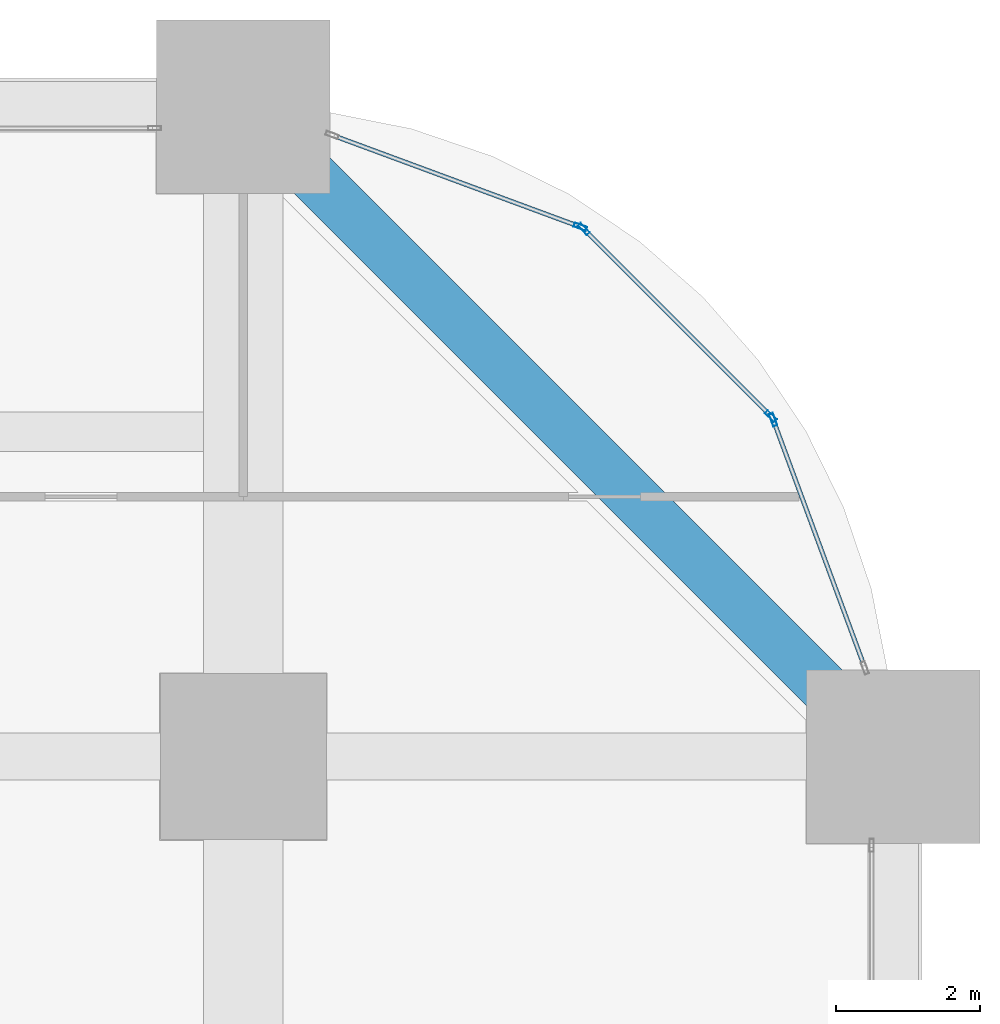
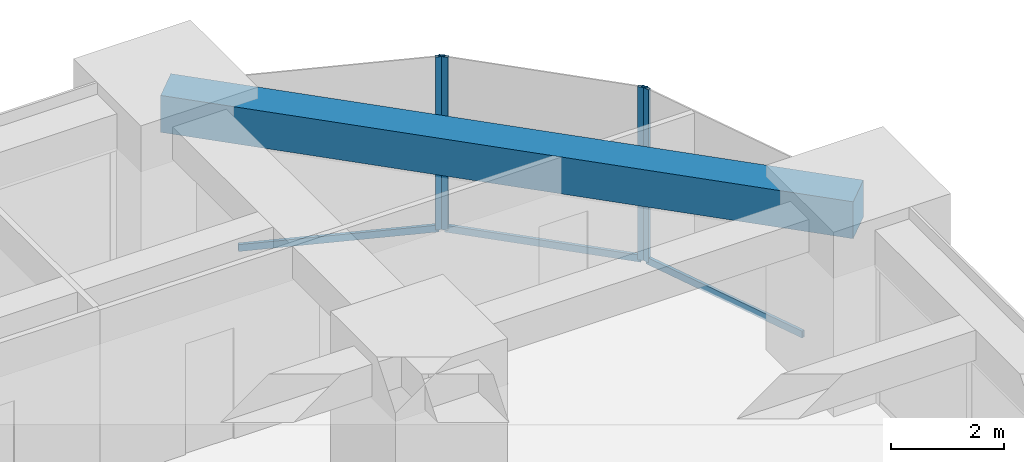
# One storey, part 37 of 44: 7 members, 1 beam, 3 elements without a shape of their own.
"""IFC4 building model written with IfcOpenShell, lengths in metres."""

from ifc_helpers import new_model, si_unit, direction, frame, origin, origin_2d, place, context, subcontext, project, spatial, rectangle, hollow_rectangle, extrude, material, material_profile, profile_set, type_object, element, aggregate, save


model = new_model("IFC4")

# Units and contexts
model_context = context("Model", 3, precision=1e-05, world=origin(), true_north=direction((0.0, 1.0)))
body_context = subcontext(model_context, "Body", "Model", "MODEL_VIEW")
ifc_project = project(units=[si_unit("LENGTHUNIT", "METRE"), si_unit("AREAUNIT", "SQUARE_METRE"), si_unit("VOLUMEUNIT", "CUBIC_METRE"), si_unit("PLANEANGLEUNIT", "RADIAN"), si_unit("MASSUNIT", "GRAM", prefix="KILO")], contexts=[model_context])

# Site, building, storey
site_placement = place(None, origin())
site = spatial("IfcSite", under=ifc_project, at=site_placement, CompositionType="ELEMENT")
building_placement = place(site_placement, origin())
building = spatial("IfcBuilding", under=site, at=building_placement, Name="Zorevar Civic Tower", CompositionType="ELEMENT")
storey_placement = place(building_placement, frame((0.0, 0.0, 43.800048828125)))
storey = spatial("IfcBuildingStorey", under=building, at=storey_placement, Name="L10", CompositionType="ELEMENT", Elevation=43.800048828125)

# Curtain wall, member
ifc_material_1 = material(Name="Dark grey solar-control glass in black aluminium frame", Category="aluminium")
curtain_wall_type = type_object("IfcCurtainWallType", Name="Curtain wall CW2 low zone", PredefinedType="NOTDEFINED", material=ifc_material_1)
curtain_wall_1_placement = place(storey_placement, origin())
curtain_wall_1 = element("IfcCurtainWall", 1, at=curtain_wall_1_placement, inside=storey, type_object=curtain_wall_type, Name="CW2 L10", PredefinedType="NOTDEFINED")
ifc_material_2 = material(Name="Aluminium, black anodised", Category="aluminium")
ifc_material_profile_1 = material_profile(ifc_material_2, hollow_rectangle(XDim=0.06005859375, YDim=0.179931640625, WallThickness=0.00390625, at=origin_2d()), Name="AL 180x60x4")
ifc_profile_set_1 = profile_set([ifc_material_profile_1], Name="Aluminium, black anodised")
member_type_1 = type_object("IfcMemberType", Name="CW2 mullion AL 180x60x4", PredefinedType="MULLION", material=ifc_profile_set_1)
member_1_placement = place(storey_placement, frame((61.336181640625, 49.66455078125, 0.0), z_axis=(0.0, 0.0, 1.0), x_axis=(-0.937974588163, -0.346704012033, 0.0)))
member_1 = element("IfcMember", 2, at=member_1_placement, type_object=member_type_1, Name="CW2 mullion 2", PredefinedType="MULLION", context=body_context, shape_type="SweptSolid", body=[
    extrude(hollow_rectangle(XDim=0.06005859375, YDim=0.179931640625, WallThickness=0.00390625, at=origin_2d()), origin(), (0.0, 0.0, 1.0), 3.75),
])

# Curtain wall, members
curtain_wall_2_placement = place(storey_placement, origin())
curtain_wall_2 = element("IfcCurtainWall", 3, at=curtain_wall_2_placement, inside=storey, type_object=curtain_wall_type, Name="CW2 L10", PredefinedType="NOTDEFINED")
member_2_placement = place(storey_placement, frame((61.3046875, 49.7138671875, 0.0), z_axis=(0.0, 0.0, 1.0), x_axis=(-0.707106781187, -0.707106781187, 0.0)))
member_2 = element("IfcMember", 4, at=member_2_placement, type_object=member_type_1, Name="CW2 mullion 1", PredefinedType="MULLION", context=body_context, shape_type="SweptSolid", body=[
    extrude(hollow_rectangle(XDim=0.06005859375, YDim=0.179931640625, WallThickness=0.00390625, at=origin_2d()), origin(), (0.0, 0.0, 1.0), 3.75),
])
member_3_placement = place(storey_placement, frame((58.7138671875, 52.3046875, 0.0), z_axis=(0.0, 0.0, 1.0), x_axis=(-0.707106781187, -0.707106781187, 0.0)))
member_3 = element("IfcMember", 5, at=member_3_placement, type_object=member_type_1, Name="CW2 mullion 2", PredefinedType="MULLION", context=body_context, shape_type="SweptSolid", body=[
    extrude(hollow_rectangle(XDim=0.06005859375, YDim=0.179931640625, WallThickness=0.00390625, at=origin_2d()), origin(), (0.0, 0.0, 1.0), 3.75),
])

# Curtain wall, member
curtain_wall_3_placement = place(storey_placement, origin())
curtain_wall_3 = element("IfcCurtainWall", 6, at=curtain_wall_3_placement, inside=storey, type_object=curtain_wall_type, Name="CW2 L10", PredefinedType="NOTDEFINED")
member_4_placement = place(storey_placement, frame((58.66455078125, 52.336181640625, 0.0), z_axis=(0.0, 0.0, 1.0), x_axis=(-0.346704012033, -0.937974588163, 0.0)))
member_4 = element("IfcMember", 7, at=member_4_placement, type_object=member_type_1, Name="CW2 mullion 1", PredefinedType="MULLION", context=body_context, shape_type="SweptSolid", body=[
    extrude(hollow_rectangle(XDim=0.06005859375, YDim=0.179931640625, WallThickness=0.00390625, at=origin_2d()), origin(), (0.0, 0.0, 1.0), 3.75),
])

# Member
ifc_material_3 = material(Name="Aluminium, black anodised", Category="aluminium")
ifc_material_profile_2 = material_profile(ifc_material_3, hollow_rectangle(XDim=0.06005859375, YDim=0.14990234375, WallThickness=0.00390625, at=origin_2d()), Name="AL 150x60x4")
ifc_profile_set_2 = profile_set([ifc_material_profile_2], Name="Aluminium, black anodised")
member_type_2 = type_object("IfcMemberType", Name="CW2 transom AL 150x60x4", PredefinedType="USERDEFINED", material=ifc_profile_set_2)
member_5_placement = place(storey_placement, frame((62.595947265625, 46.25634765625, 0.030029296875), z_axis=(-0.346672169799, 0.93798635741, 0.0), x_axis=(-0.93798635741, -0.346672169799, 0.0)))
member_5 = element("IfcMember", 8, at=member_5_placement, type_object=member_type_2, Name="CW2 sill transom", ObjectType="TRANSOM", PredefinedType="USERDEFINED", context=body_context, shape_type="SweptSolid", body=[
    extrude(hollow_rectangle(XDim=0.06005859375, YDim=0.14990234375, WallThickness=0.00390625, at=origin_2d()), origin(), (0.0, 0.0, 1.0), 3.603515625),
])

aggregate(curtain_wall_1, [member_1, member_5])

member_6_placement = place(storey_placement, frame((61.283447265625, 49.735107421875, 0.030029296875), z_axis=(-0.707106781187, 0.707106781187, 0.0), x_axis=(-0.707106781187, -0.707106781187, 0.0)))
member_6 = element("IfcMember", 9, at=member_6_placement, type_object=member_type_2, Name="CW2 sill transom", ObjectType="TRANSOM", PredefinedType="USERDEFINED", context=body_context, shape_type="SweptSolid", body=[
    extrude(hollow_rectangle(XDim=0.06005859375, YDim=0.14990234375, WallThickness=0.00390625, at=origin_2d()), origin(), (0.0, 0.0, 1.0), 3.60400390625),
])

aggregate(curtain_wall_2, [member_2, member_3, member_6])

member_7_placement = place(storey_placement, frame((58.636474609375, 52.3466796875, 0.030029296875), z_axis=(-0.93798635741, 0.346672169799, 0.0), x_axis=(-0.346672169799, -0.93798635741, 0.0)))
member_7 = element("IfcMember", 10, at=member_7_placement, type_object=member_type_2, Name="CW2 sill transom", ObjectType="TRANSOM", PredefinedType="USERDEFINED", context=body_context, shape_type="SweptSolid", body=[
    extrude(hollow_rectangle(XDim=0.06005859375, YDim=0.14990234375, WallThickness=0.00390625, at=origin_2d()), origin(), (0.0, 0.0, 1.0), 3.603515625),
])

aggregate(curtain_wall_3, [member_4, member_7])

# Beam
ifc_material_4 = material(Name="Concrete C50/60", Category="concrete")
ifc_material_profile_3 = material_profile(ifc_material_4, rectangle(XDim=0.699951171875, YDim=0.800048828125, at=origin_2d()), Name="RC 700x800")
ifc_profile_set_3 = profile_set([ifc_material_profile_3], Name="Concrete C50/60")
beam_type = type_object("IfcBeamType", Name="Edge beam RC 700x800", PredefinedType="SPANDREL", material=ifc_profile_set_3)
beam_placement = place(storey_placement, frame((63.0, 45.0, 3.349853515625), z_axis=(-0.707106781187, 0.707106781187, 0.0), x_axis=(-0.707106781187, -0.707106781187, 0.0)))
element("IfcBeam", 11, at=beam_placement, inside=storey, type_object=beam_type, Name="Corner edge beam L11", PredefinedType="SPANDREL", context=body_context, shape_type="SweptSolid", body=[
    extrude(rectangle(XDim=0.699951171875, YDim=0.800048828125, at=origin_2d()), origin(), (0.0, 0.0, 1.0), 12.72802734375),
])

save(model, "model.ifc")
